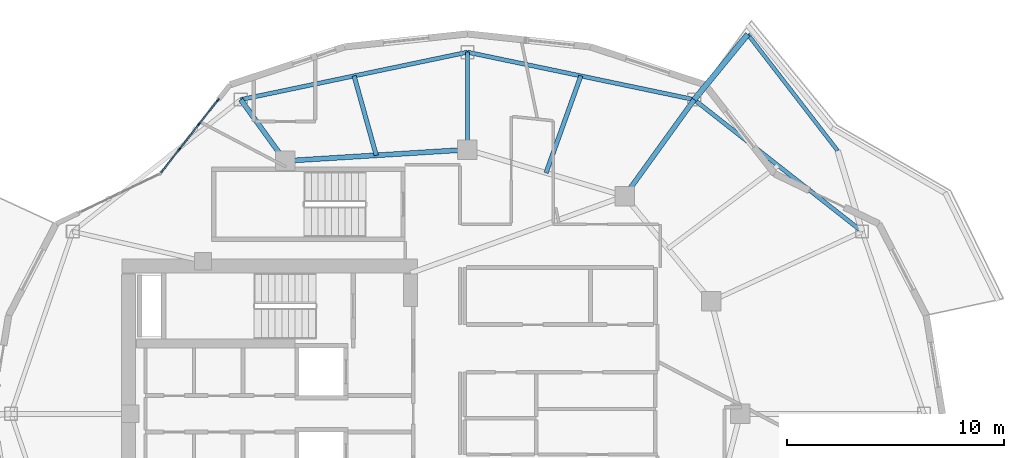
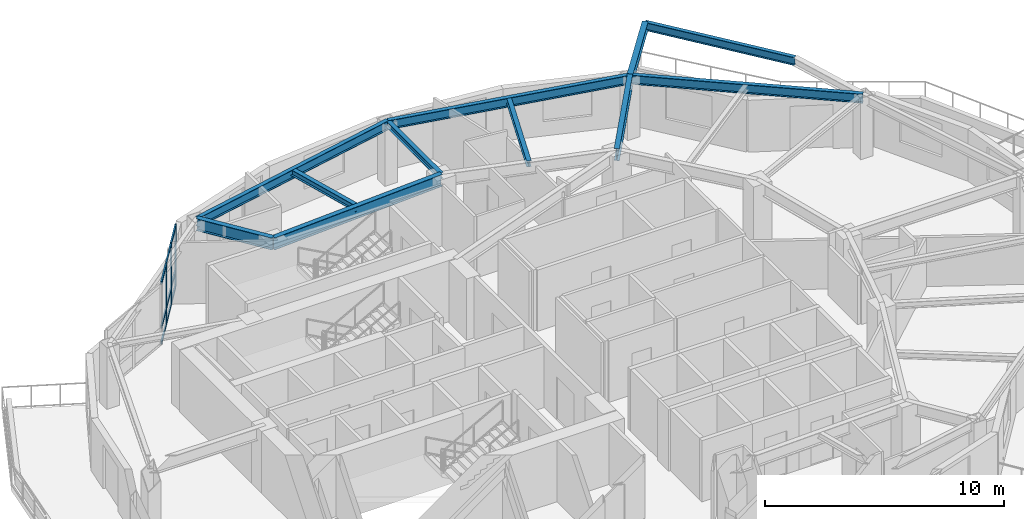
# One storey, part 5 of 13: 12 members, 11 beams, 1 element without a shape of its own.
"""IFC4 building model written with IfcOpenShell, lengths in metres."""

from ifc_helpers import new_model, si_unit, direction, frame, origin, origin_2d, place, context, subcontext, project, spatial, rectangle, i_section, extrude, material, layer, layer_set, material_profile, profile_set, type_object, element, aggregate, save


model = new_model("IFC4")

# Units and contexts
model_context = context("Model", 3, precision=1e-05, world=origin(), true_north=direction((0.0, 1.0)))
body_context = subcontext(model_context, "Body", "Model", "MODEL_VIEW")
ifc_project = project(units=[si_unit("LENGTHUNIT", "METRE"), si_unit("AREAUNIT", "SQUARE_METRE"), si_unit("VOLUMEUNIT", "CUBIC_METRE"), si_unit("PLANEANGLEUNIT", "RADIAN"), si_unit("MASSUNIT", "GRAM", prefix="KILO")], contexts=[model_context])

# Site, building, storey
site_placement = place(None, origin())
site = spatial("IfcSite", under=ifc_project, at=site_placement, CompositionType="ELEMENT")
building_placement = place(site_placement, origin())
building = spatial("IfcBuilding", under=site, at=building_placement, Name="Kolvaren Gate Tower and Convention Centre", CompositionType="ELEMENT")
storey_placement = place(building_placement, frame((0.0, 0.0, 156.300048828125)))
storey = spatial("IfcBuildingStorey", under=building, at=storey_placement, Name="L40", CompositionType="ELEMENT", Elevation=156.300048828125)

# Curtain wall, members
ifc_material_1 = material(Name="Anodized Architectural Aluminium Alloy 6063-T6", Category="aluminium")
ifc_layer = layer(ifc_material_1, 0.159912109375)
ifc_layer_set = layer_set([ifc_layer], Name="Anodized Architectural Aluminium Alloy 6063-T6")
curtain_wall_type = type_object("IfcCurtainWallType", Name="CW-HTL-UNIT", PredefinedType="NOTDEFINED", material=ifc_layer_set)
curtain_wall_placement = place(storey_placement, origin())
curtain_wall = element("IfcCurtainWall", 1, at=curtain_wall_placement, inside=storey, type_object=curtain_wall_type, Name="Tower L40 Unitised Curtain Wall CW-HTL-UNIT Bay 08", PredefinedType="NOTDEFINED")
ifc_material_profile_1 = material_profile(ifc_material_1, rectangle(XDim=0.06494140625, YDim=0.159912109375, at=origin_2d()), Name="CW-MEM-MUL-160")
ifc_profile_set_1 = profile_set([ifc_material_profile_1], Name="Anodized Architectural Aluminium Alloy 6063-T6")
member_type_1 = type_object("IfcMemberType", Name="CW-MEM-MUL-160", PredefinedType="MULLION", material=ifc_profile_set_1)
member_1_placement = place(storey_placement, frame((16.829833984375, 39.22705078125, 0.0), z_axis=(0.0, 0.0, 1.0), x_axis=(-0.787394793807, 0.616449056034, 0.0)))
member_1 = element("IfcMember", 2, at=member_1_placement, type_object=member_type_1, Name="CW-03 mullion 2", PredefinedType="MULLION", context=body_context, shape_type="SweptSolid", body=[
    extrude(rectangle(XDim=0.06494140625, YDim=0.159912109375, at=origin_2d()), origin(), (0.0, 0.0, 1.0), 3.1298828125),
])
member_2_placement = place(storey_placement, frame((17.722900390625, 40.367919921875, 0.0), z_axis=(0.0, 0.0, 1.0), x_axis=(-0.787394793807, 0.616449056034, 0.0)))
member_2 = element("IfcMember", 3, at=member_2_placement, type_object=member_type_1, Name="CW-03 mullion 3", PredefinedType="MULLION", context=body_context, shape_type="SweptSolid", body=[
    extrude(rectangle(XDim=0.06494140625, YDim=0.159912109375, at=origin_2d()), origin(), (0.0, 0.0, 1.0), 3.1298828125),
])
member_3_placement = place(storey_placement, frame((18.59619140625, 41.483154296875, 0.0), z_axis=(0.0, 0.0, 1.0), x_axis=(-0.787394793807, 0.616449056034, 0.0)))
member_3 = element("IfcMember", 4, at=member_3_placement, type_object=member_type_1, Name="CW-03 mullion 4", PredefinedType="MULLION", context=body_context, shape_type="SweptSolid", body=[
    extrude(rectangle(XDim=0.06494140625, YDim=0.159912109375, at=origin_2d()), origin(), (0.0, 0.0, 1.0), 3.1298828125),
])
ifc_material_profile_2 = material_profile(ifc_material_1, rectangle(XDim=0.06494140625, YDim=0.159912109375, at=origin_2d()), Name="CW-MEM-TRN-160")
ifc_profile_set_2 = profile_set([ifc_material_profile_2], Name="Anodized Architectural Aluminium Alloy 6063-T6")
member_type_2 = type_object("IfcMemberType", Name="CW-MEM-TRN-160", PredefinedType="USERDEFINED", material=ifc_profile_set_2)
member_4_placement = place(storey_placement, frame((15.9765625, 38.13720703125, 0.032470703125), z_axis=(0.616488451497, 0.787363949626, 0.0), x_axis=(-0.787363949626, 0.616488451497, 0.0)))
member_4 = element("IfcMember", 5, at=member_4_placement, type_object=member_type_2, Name="CW-03 transom 1.1", ObjectType="TRANSOM", PredefinedType="USERDEFINED", context=body_context, shape_type="SweptSolid", body=[
    extrude(rectangle(XDim=0.06494140625, YDim=0.159912109375, at=origin_2d()), origin(), (0.0, 0.0, 1.0), 1.3515625),
])
member_5_placement = place(storey_placement, frame((15.9765625, 38.13720703125, 0.849853515625), z_axis=(0.616488451497, 0.787363949626, 0.0), x_axis=(-0.787363949626, 0.616488451497, 0.0)))
member_5 = element("IfcMember", 6, at=member_5_placement, type_object=member_type_2, Name="CW-03 transom 1.2", ObjectType="TRANSOM", PredefinedType="USERDEFINED", context=body_context, shape_type="SweptSolid", body=[
    extrude(rectangle(XDim=0.06494140625, YDim=0.159912109375, at=origin_2d()), origin(), (0.0, 0.0, 1.0), 1.3515625),
])
member_6_placement = place(storey_placement, frame((15.9765625, 38.13720703125, 3.097412109375), z_axis=(0.616488451497, 0.787363949626, 0.0), x_axis=(-0.787363949626, 0.616488451497, 0.0)))
member_6 = element("IfcMember", 7, at=member_6_placement, type_object=member_type_2, Name="CW-03 transom 1.3", ObjectType="TRANSOM", PredefinedType="USERDEFINED", context=body_context, shape_type="SweptSolid", body=[
    extrude(rectangle(XDim=0.06494140625, YDim=0.159912109375, at=origin_2d()), origin(), (0.0, 0.0, 1.0), 1.3515625),
])
member_7_placement = place(storey_placement, frame((16.849853515625, 39.25244140625, 0.032470703125), z_axis=(0.616355825524, 0.787467774796, 0.0), x_axis=(-0.787467774796, 0.616355825524, 0.0)))
member_7 = element("IfcMember", 8, at=member_7_placement, type_object=member_type_2, Name="CW-03 transom 2.1", ObjectType="TRANSOM", PredefinedType="USERDEFINED", context=body_context, shape_type="SweptSolid", body=[
    extrude(rectangle(XDim=0.06494140625, YDim=0.159912109375, at=origin_2d()), origin(), (0.0, 0.0, 1.0), 1.384033203125),
])
member_8_placement = place(storey_placement, frame((16.849853515625, 39.25244140625, 0.849853515625), z_axis=(0.616355825524, 0.787467774796, 0.0), x_axis=(-0.787467774796, 0.616355825524, 0.0)))
member_8 = element("IfcMember", 9, at=member_8_placement, type_object=member_type_2, Name="CW-03 transom 2.2", ObjectType="TRANSOM", PredefinedType="USERDEFINED", context=body_context, shape_type="SweptSolid", body=[
    extrude(rectangle(XDim=0.06494140625, YDim=0.159912109375, at=origin_2d()), origin(), (0.0, 0.0, 1.0), 1.384033203125),
])
member_9_placement = place(storey_placement, frame((16.849853515625, 39.25244140625, 3.097412109375), z_axis=(0.616355825524, 0.787467774796, 0.0), x_axis=(-0.787467774796, 0.616355825524, 0.0)))
member_9 = element("IfcMember", 10, at=member_9_placement, type_object=member_type_2, Name="CW-03 transom 2.3", ObjectType="TRANSOM", PredefinedType="USERDEFINED", context=body_context, shape_type="SweptSolid", body=[
    extrude(rectangle(XDim=0.06494140625, YDim=0.159912109375, at=origin_2d()), origin(), (0.0, 0.0, 1.0), 1.384033203125),
])
member_10_placement = place(storey_placement, frame((17.742919921875, 40.3935546875, 0.032470703125), z_axis=(0.61657613784, 0.787295285294, 0.0), x_axis=(-0.787295285294, 0.61657613784, 0.0)))
member_10 = element("IfcMember", 11, at=member_10_placement, type_object=member_type_2, Name="CW-03 transom 3.1", ObjectType="TRANSOM", PredefinedType="USERDEFINED", context=body_context, shape_type="SweptSolid", body=[
    extrude(rectangle(XDim=0.06494140625, YDim=0.159912109375, at=origin_2d()), origin(), (0.0, 0.0, 1.0), 1.351318359375),
])
member_11_placement = place(storey_placement, frame((17.742919921875, 40.3935546875, 0.849853515625), z_axis=(0.61657613784, 0.787295285294, 0.0), x_axis=(-0.787295285294, 0.61657613784, 0.0)))
member_11 = element("IfcMember", 12, at=member_11_placement, type_object=member_type_2, Name="CW-03 transom 3.2", ObjectType="TRANSOM", PredefinedType="USERDEFINED", context=body_context, shape_type="SweptSolid", body=[
    extrude(rectangle(XDim=0.06494140625, YDim=0.159912109375, at=origin_2d()), origin(), (0.0, 0.0, 1.0), 1.351318359375),
])
member_12_placement = place(storey_placement, frame((17.742919921875, 40.3935546875, 3.097412109375), z_axis=(0.61657613784, 0.787295285294, 0.0), x_axis=(-0.787295285294, 0.61657613784, 0.0)))
member_12 = element("IfcMember", 13, at=member_12_placement, type_object=member_type_2, Name="CW-03 transom 3.3", ObjectType="TRANSOM", PredefinedType="USERDEFINED", context=body_context, shape_type="SweptSolid", body=[
    extrude(rectangle(XDim=0.06494140625, YDim=0.159912109375, at=origin_2d()), origin(), (0.0, 0.0, 1.0), 1.351318359375),
])
aggregate(curtain_wall, [member_1, member_2, member_3, member_4, member_5, member_6, member_7, member_8, member_9, member_10, member_11, member_12])

# Beams
ifc_material_2 = material(Name="Structural steel ASTM A992 Grade 345 MPa", Category="steel")
ifc_material_profile_3 = material_profile(ifc_material_2, i_section(OverallWidth=0.260009765625, OverallDepth=0.419921875, WebThickness=0.013427734375, FlangeThickness=0.0224609375, at=origin_2d()), Name="W410X132")
ifc_profile_set_3 = profile_set([ifc_material_profile_3], Name="Structural steel ASTM A992 Grade 345 MPa")
beam_type_1 = type_object("IfcBeamType", Name="STR-BM-W410X132", PredefinedType="BEAM", material=ifc_profile_set_3)
beam_1_placement = place(storey_placement, frame((40.596435546875, 41.509521484375, 2.92041015625), z_axis=(0.634334838323, 0.773058414927, 0.0), x_axis=(-0.773058414927, 0.634334838323, 0.0)))
element("IfcBeam", 14, at=beam_1_placement, inside=storey, type_object=beam_type_1, Name="Tower L41 Planted Balcony Outrigger Cantilever BC-1B", PredefinedType="BEAM", context=body_context, shape_type="SweptSolid", body=[
    extrude(i_section(OverallWidth=0.260009765625, OverallDepth=0.419921875, WebThickness=0.013427734375, FlangeThickness=0.0224609375, at=origin_2d()), origin(), (0.0, 0.0, 1.0), 3.89990234375),
])
ifc_material_profile_4 = material_profile(ifc_material_2, i_section(OverallWidth=0.22998046875, OverallDepth=0.616943359375, WebThickness=0.01318359375, FlangeThickness=0.022216796875, at=origin_2d()), Name="W610X140")
ifc_profile_set_4 = profile_set([ifc_material_profile_4], Name="Structural steel ASTM A992 Grade 345 MPa")
beam_type_2 = type_object("IfcBeamType", Name="STR-BM-W610X140", PredefinedType="BEAM", material=ifc_profile_set_4)
beam_2_placement = place(storey_placement, frame((30.125, 39.199951171875, 2.821533203125), z_axis=(-0.998078258568, -0.06196603726, 0.0), x_axis=(0.06196603726, -0.998078258568, 0.0)))
element("IfcBeam", 15, at=beam_2_placement, inside=storey, type_object=beam_type_2, Name="Tower L40 Primary Ring Girder G-04", PredefinedType="BEAM", context=body_context, shape_type="SweptSolid", body=[
    extrude(i_section(OverallWidth=0.22998046875, OverallDepth=0.616943359375, WebThickness=0.01318359375, FlangeThickness=0.022216796875, at=origin_2d()), origin(), (0.0, 0.0, 1.0), 8.443115234375),
])
beam_3_placement = place(storey_placement, frame((37.381591796875, 37.054931640625, 2.821533203125), z_axis=(0.58520818289, 0.810883088169, 0.0), x_axis=(-0.810883088169, 0.58520818289, 0.0)))
element("IfcBeam", 16, at=beam_3_placement, inside=storey, type_object=beam_type_2, Name="Tower L40 Radial Floor Girder RB-03", PredefinedType="BEAM", context=body_context, shape_type="SweptSolid", body=[
    extrude(i_section(OverallWidth=0.22998046875, OverallDepth=0.616943359375, WebThickness=0.01318359375, FlangeThickness=0.022216796875, at=origin_2d()), origin(), (0.0, 0.0, 1.0), 5.493408203125),
])
beam_4_placement = place(storey_placement, frame((21.697998046875, 38.6767578125, 2.821533203125), z_axis=(-0.585171547435, 0.810909526441, 0.0), x_axis=(-0.810909526441, -0.585171547435, 0.0)))
element("IfcBeam", 17, at=beam_4_placement, inside=storey, type_object=beam_type_2, Name="Tower L40 Radial Floor Girder RB-05", PredefinedType="BEAM", context=body_context, shape_type="SweptSolid", body=[
    extrude(i_section(OverallWidth=0.22998046875, OverallDepth=0.616943359375, WebThickness=0.01318359375, FlangeThickness=0.022216796875, at=origin_2d()), origin(), (0.0, 0.0, 1.0), 3.493408203125),
])
ifc_material_profile_5 = material_profile(ifc_material_2, i_section(OverallWidth=0.205078125, OverallDepth=0.31005859375, WebThickness=0.009521484375, FlangeThickness=0.016357421875, at=origin_2d()), Name="W310X74")
ifc_profile_set_5 = profile_set([ifc_material_profile_5], Name="Structural steel ASTM A992 Grade 345 MPa")
beam_type_3 = type_object("IfcBeamType", Name="STR-JS-W310X74", PredefinedType="JOIST", material=ifc_profile_set_5)
beam_5_placement = place(storey_placement, frame((30.125, 39.199951171875, 2.974853515625), z_axis=(0.0, 1.0, 0.0), x_axis=(-1.0, 0.0, 0.0)))
element("IfcBeam", 18, at=beam_5_placement, inside=storey, type_object=beam_type_3, Name="Tower L40 Radial Floor Girder RB-04", PredefinedType="JOIST", context=body_context, shape_type="SweptSolid", body=[
    extrude(i_section(OverallWidth=0.205078125, OverallDepth=0.31005859375, WebThickness=0.009521484375, FlangeThickness=0.016357421875, at=origin_2d()), origin(), (0.0, 0.0, 1.0), 4.5),
])
beam_6_placement = place(storey_placement, frame((33.75341796875, 38.12744140625, 2.974853515625), z_axis=(0.33785426197, 0.941198436924, 0.0), x_axis=(-0.941198436924, 0.33785426197, 0.0)))
element("IfcBeam", 19, at=beam_6_placement, inside=storey, type_object=beam_type_3, Name="Tower L40 Secondary Composite Floor Joist J-03.1", PredefinedType="JOIST", context=body_context, shape_type="SweptSolid", body=[
    extrude(i_section(OverallWidth=0.205078125, OverallDepth=0.31005859375, WebThickness=0.009521484375, FlangeThickness=0.016357421875, at=origin_2d()), origin(), (0.0, 0.0, 1.0), 4.757080078125),
])
beam_7_placement = place(storey_placement, frame((25.91162109375, 38.938232421875, 2.974853515625), z_axis=(-0.26855678261, 0.963263855085, 0.0), x_axis=(-0.963263855085, -0.26855678261, 0.0)))
element("IfcBeam", 20, at=beam_7_placement, inside=storey, type_object=beam_type_3, Name="Tower L40 Secondary Composite Floor Joist J-04.1", PredefinedType="JOIST", context=body_context, shape_type="SweptSolid", body=[
    extrude(i_section(OverallWidth=0.205078125, OverallDepth=0.31005859375, WebThickness=0.009521484375, FlangeThickness=0.016357421875, at=origin_2d()), origin(), (0.0, 0.0, 1.0), 3.806396484375),
])
ifc_material_profile_6 = material_profile(ifc_material_2, i_section(OverallWidth=0.180908203125, OverallDepth=0.4169921875, WebThickness=0.010986328125, FlangeThickness=0.018310546875, at=origin_2d()), Name="W410X85")
ifc_profile_set_6 = profile_set([ifc_material_profile_6], Name="Structural steel ASTM A992 Grade 345 MPa")
beam_type_4 = type_object("IfcBeamType", Name="STR-SP-W410X85", PredefinedType="SPANDREL", material=ifc_profile_set_6)
beam_8_placement = place(storey_placement, frame((47.22021484375, 39.15087890625, 2.921875), z_axis=(-0.611228468279, 0.791454205602, 0.0), x_axis=(-0.791454205602, -0.611228468279, 0.0)))
element("IfcBeam", 21, at=beam_8_placement, inside=storey, type_object=beam_type_4, Name="Tower L41 Planted Balcony Header Tie Beam BT-1", PredefinedType="SPANDREL", context=body_context, shape_type="SweptSolid", body=[
    extrude(i_section(OverallWidth=0.180908203125, OverallDepth=0.4169921875, WebThickness=0.010986328125, FlangeThickness=0.018310546875, at=origin_2d()), origin(), (0.0, 0.0, 1.0), 6.78955078125),
])
ifc_material_profile_7 = material_profile(ifc_material_2, i_section(OverallWidth=0.194091796875, OverallDepth=0.468994140625, WebThickness=0.0126953125, FlangeThickness=0.0205078125, at=origin_2d()), Name="W460X106")
ifc_profile_set_7 = profile_set([ifc_material_profile_7], Name="Structural steel ASTM A992 Grade 345 MPa")
beam_type_5 = type_object("IfcBeamType", Name="STR-SP-W460X106", PredefinedType="SPANDREL", material=ifc_profile_set_7)
beam_9_placement = place(storey_placement, frame((48.351806640625, 35.418701171875, 2.8955078125), z_axis=(-0.786450621777, 0.617653154697, 0.0), x_axis=(-0.617653154697, -0.786450621777, 0.0)))
element("IfcBeam", 22, at=beam_9_placement, inside=storey, type_object=beam_type_5, Name="Tower L40 Perimeter Spandrel Beam SP-02", PredefinedType="SPANDREL", context=body_context, shape_type="SweptSolid", body=[
    extrude(i_section(OverallWidth=0.194091796875, OverallDepth=0.468994140625, WebThickness=0.0126953125, FlangeThickness=0.0205078125, at=origin_2d()), origin(), (0.0, 0.0, 1.0), 9.861328125),
])
beam_10_placement = place(storey_placement, frame((40.596435546875, 41.509521484375, 2.8955078125), z_axis=(-0.978814350133, 0.204749769168, 0.0), x_axis=(-0.204749769168, -0.978814350133, 0.0)))
element("IfcBeam", 23, at=beam_10_placement, inside=storey, type_object=beam_type_5, Name="Tower L40 Perimeter Spandrel Beam SP-03", PredefinedType="SPANDREL", context=body_context, shape_type="SweptSolid", body=[
    extrude(i_section(OverallWidth=0.194091796875, OverallDepth=0.468994140625, WebThickness=0.0126953125, FlangeThickness=0.0205078125, at=origin_2d()), origin(), (0.0, 0.0, 1.0), 10.697998046875),
])
beam_11_placement = place(storey_placement, frame((30.125, 43.699951171875, 2.8955078125), z_axis=(-0.978813393389, -0.204754342865, 0.0), x_axis=(0.204754342865, -0.978813393389, 0.0)))
element("IfcBeam", 24, at=beam_11_placement, inside=storey, type_object=beam_type_5, Name="Tower L40 Perimeter Spandrel Beam SP-04", PredefinedType="SPANDREL", context=body_context, shape_type="SweptSolid", body=[
    extrude(i_section(OverallWidth=0.194091796875, OverallDepth=0.468994140625, WebThickness=0.0126953125, FlangeThickness=0.0205078125, at=origin_2d()), origin(), (0.0, 0.0, 1.0), 10.69775390625),
])

save(model, "model.ifc")
